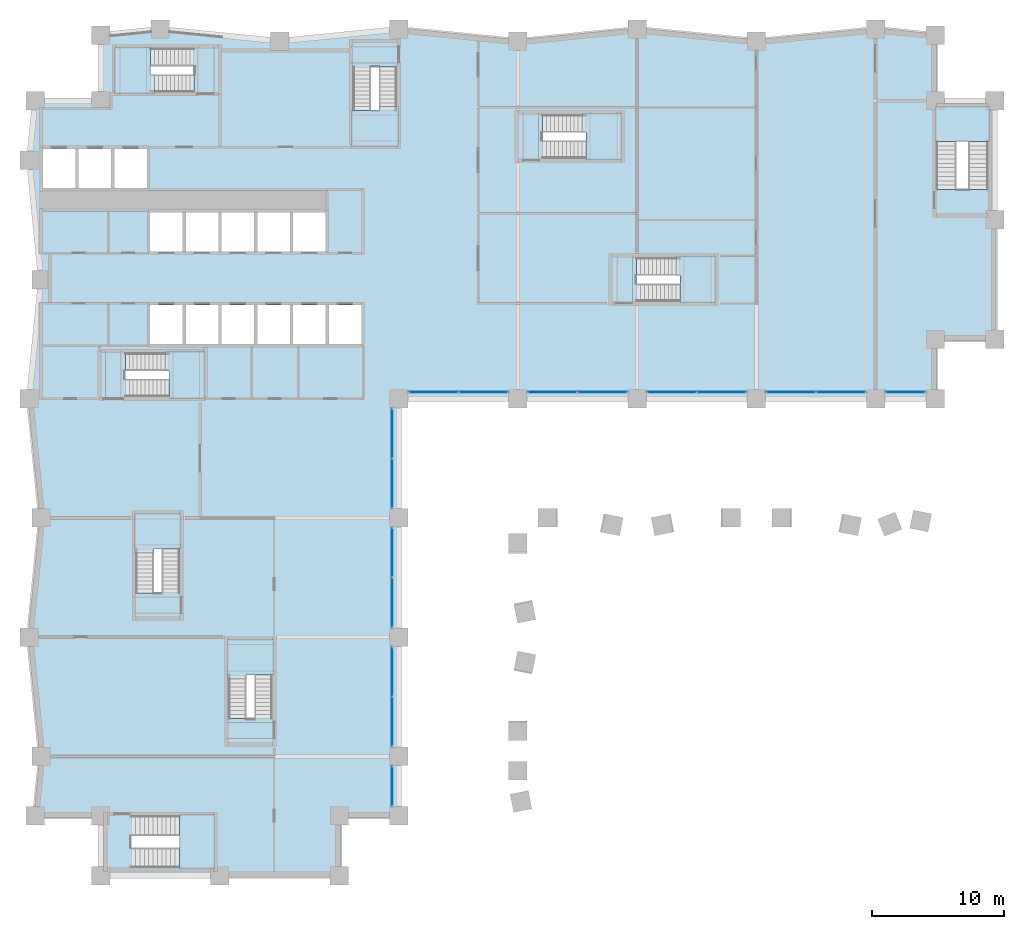
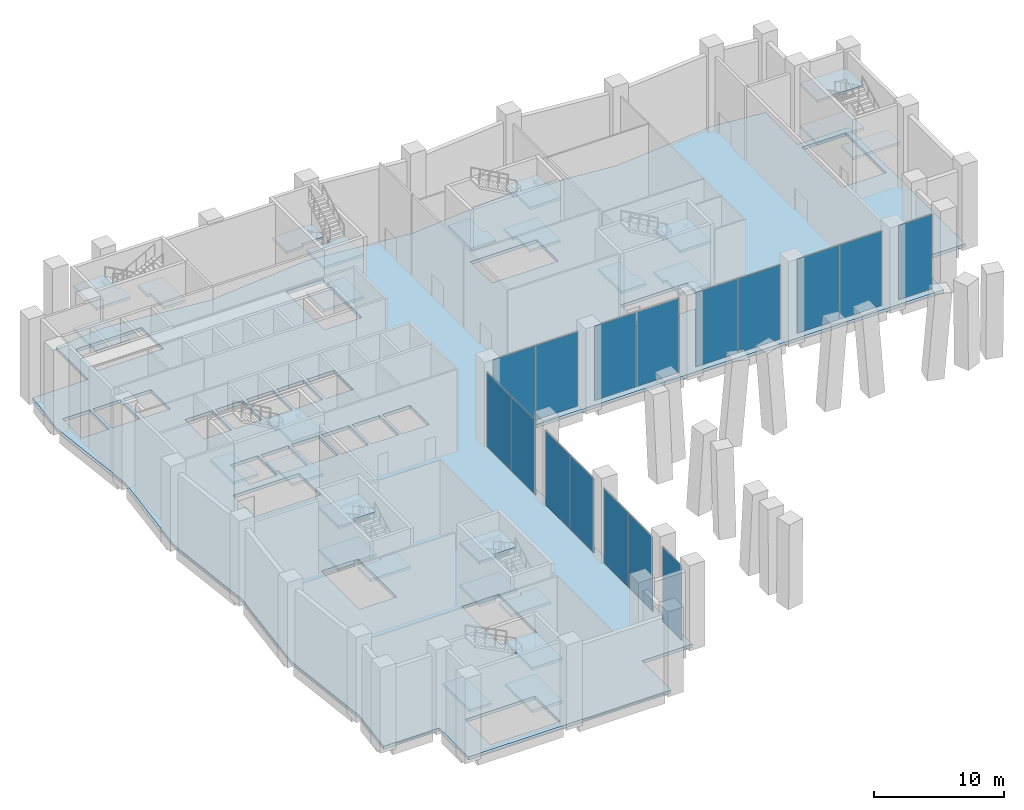
# One storey, part 9 of 19: 28 slabs, 16 plates, 18 elements without a shape of their own.
"""IFC4 building model written with IfcOpenShell, lengths in metres."""

from ifc_helpers import new_model, si_unit, direction, frame, origin, origin_2d, place, context, subcontext, project, spatial, polyline, rectangle, outline, extrude, material, layer, layer_set, type_object, element, aggregate, save


model = new_model("IFC4")

# Units and contexts
model_context = context("Model", 3, precision=1e-05, world=origin(), true_north=direction((0.0, 1.0)))
body_context = subcontext(model_context, "Body", "Model", "MODEL_VIEW")
ifc_project = project(units=[si_unit("LENGTHUNIT", "METRE"), si_unit("AREAUNIT", "SQUARE_METRE"), si_unit("VOLUMEUNIT", "CUBIC_METRE"), si_unit("PLANEANGLEUNIT", "RADIAN"), si_unit("MASSUNIT", "GRAM", prefix="KILO")], contexts=[model_context])

# Site, building, storey
site_placement = place(None, origin())
site = spatial("IfcSite", under=ifc_project, at=site_placement, CompositionType="ELEMENT")
building_placement = place(site_placement, origin())
building = spatial("IfcBuilding", under=site, at=building_placement, Name="Brondeck Convention Tower", CompositionType="ELEMENT")
storey_placement = place(building_placement, frame((0.0, 0.0, 19.5)))
storey = spatial("IfcBuildingStorey", under=building, at=storey_placement, Name="L03", CompositionType="ELEMENT", Elevation=19.5)

# Curtain wall, plate
ifc_material_1 = material(Name="Aluminium, bronze anodised", Category="aluminium")
curtain_wall_type = type_object("IfcCurtainWallType", Name="Podium hall curtain wall", PredefinedType="NOTDEFINED", material=ifc_material_1)
curtain_wall_1_placement = place(storey_placement, origin())
curtain_wall_1 = element("IfcCurtainWall", 1, at=curtain_wall_1_placement, inside=storey, type_object=curtain_wall_type, Name="ENV-CW2-L03-B-E-06", PredefinedType="NOTDEFINED")
ifc_material_2 = material(Name="Bronze tinted laminated glass", Category="glass")
ifc_layer_1 = layer(ifc_material_2, 0.009033203125, Name="Outer pane")
ifc_material_3 = material(Name="Argon-filled cavity")
ifc_layer_2 = layer(ifc_material_3, 0.011962890625, Name="Cavity")
ifc_material_4 = material(Name="Clear low-emissivity glass", Category="glass")
ifc_layer_3 = layer(ifc_material_4, 0.009033203125, Name="Inner pane")
ifc_layer_set_1 = layer_set([ifc_layer_1, ifc_layer_2, ifc_layer_3], Name="CW2 glazing panel")
plate_type = type_object("IfcPlateType", Name="CW2 glazing panel", PredefinedType="CURTAIN_PANEL", material=ifc_layer_set_1)
plate_1_placement = place(storey_placement, frame((26.5, 6.75, 0.06005859375), z_axis=(0.0, 0.0, 1.0), x_axis=(0.0, -1.0, 0.0)))
plate_1 = element("IfcPlate", 2, at=plate_1_placement, type_object=plate_type, Name="CW2 panel 1.1", PredefinedType="CURTAIN_PANEL", context=body_context, shape_type="SweptSolid", body=[
    extrude(rectangle(XDim=2.97998046875, YDim=0.030029296875, at=origin_2d()), origin(), (0.0, 0.0, 1.0), 6.97998046875),
])
aggregate(curtain_wall_1, [plate_1])

# Curtain wall, plates
curtain_wall_2_placement = place(storey_placement, origin())
curtain_wall_2 = element("IfcCurtainWall", 3, at=curtain_wall_2_placement, inside=storey, type_object=curtain_wall_type, Name="ENV-CW2-L03-B-E-05", PredefinedType="NOTDEFINED")
plate_2_placement = place(storey_placement, frame((26.5, 15.385009765625, 0.06005859375), z_axis=(0.0, 0.0, 1.0), x_axis=(0.0, -1.0, 0.0)))
plate_2 = element("IfcPlate", 4, at=plate_2_placement, type_object=plate_type, Name="CW2 panel 1.1", PredefinedType="CURTAIN_PANEL", context=body_context, shape_type="SweptSolid", body=[
    extrude(rectangle(XDim=3.7099609375, YDim=0.030029296875, at=origin_2d()), origin(), (0.0, 0.0, 1.0), 6.97998046875),
])
plate_3_placement = place(storey_placement, frame((26.5, 11.614990234375, 0.06005859375), z_axis=(0.0, 0.0, 1.0), x_axis=(0.0, -1.0, 0.0)))
plate_3 = element("IfcPlate", 5, at=plate_3_placement, type_object=plate_type, Name="CW2 panel 2.1", PredefinedType="CURTAIN_PANEL", context=body_context, shape_type="SweptSolid", body=[
    extrude(rectangle(XDim=3.7099609375, YDim=0.030029296875, at=origin_2d()), origin(), (0.0, 0.0, 1.0), 6.97998046875),
])
aggregate(curtain_wall_2, [plate_2, plate_3])

curtain_wall_3_placement = place(storey_placement, origin())
curtain_wall_3 = element("IfcCurtainWall", 6, at=curtain_wall_3_placement, inside=storey, type_object=curtain_wall_type, Name="ENV-CW2-L03-B-E-03", PredefinedType="NOTDEFINED")
plate_4_placement = place(storey_placement, frame((26.5, 24.385009765625, 0.06005859375), z_axis=(0.0, 0.0, 1.0), x_axis=(0.0, -1.0, 0.0)))
plate_4 = element("IfcPlate", 7, at=plate_4_placement, type_object=plate_type, Name="CW2 panel 1.1", PredefinedType="CURTAIN_PANEL", context=body_context, shape_type="SweptSolid", body=[
    extrude(rectangle(XDim=3.7099609375, YDim=0.030029296875, at=origin_2d()), origin(), (0.0, 0.0, 1.0), 6.97998046875),
])
plate_5_placement = place(storey_placement, frame((26.5, 20.614990234375, 0.06005859375), z_axis=(0.0, 0.0, 1.0), x_axis=(0.0, -1.0, 0.0)))
plate_5 = element("IfcPlate", 8, at=plate_5_placement, type_object=plate_type, Name="CW2 panel 2.1", PredefinedType="CURTAIN_PANEL", context=body_context, shape_type="SweptSolid", body=[
    extrude(rectangle(XDim=3.7099609375, YDim=0.030029296875, at=origin_2d()), origin(), (0.0, 0.0, 1.0), 6.97998046875),
])
aggregate(curtain_wall_3, [plate_4, plate_5])

curtain_wall_4_placement = place(storey_placement, origin())
curtain_wall_4 = element("IfcCurtainWall", 9, at=curtain_wall_4_placement, inside=storey, type_object=curtain_wall_type, Name="ENV-CW2-L03-B-E-01", PredefinedType="NOTDEFINED")
plate_6_placement = place(storey_placement, frame((26.5, 33.385009765625, 0.06005859375), z_axis=(0.0, 0.0, 1.0), x_axis=(0.0, -1.0, 0.0)))
plate_6 = element("IfcPlate", 10, at=plate_6_placement, type_object=plate_type, Name="CW2 panel 1.1", PredefinedType="CURTAIN_PANEL", context=body_context, shape_type="SweptSolid", body=[
    extrude(rectangle(XDim=3.7099609375, YDim=0.030029296875, at=origin_2d()), origin(), (0.0, 0.0, 1.0), 6.97998046875),
])
plate_7_placement = place(storey_placement, frame((26.5, 29.614990234375, 0.06005859375), z_axis=(0.0, 0.0, 1.0), x_axis=(0.0, -1.0, 0.0)))
plate_7 = element("IfcPlate", 11, at=plate_7_placement, type_object=plate_type, Name="CW2 panel 2.1", PredefinedType="CURTAIN_PANEL", context=body_context, shape_type="SweptSolid", body=[
    extrude(rectangle(XDim=3.7099609375, YDim=0.030029296875, at=origin_2d()), origin(), (0.0, 0.0, 1.0), 6.97998046875),
])
aggregate(curtain_wall_4, [plate_6, plate_7])

curtain_wall_5_placement = place(storey_placement, origin())
curtain_wall_5 = element("IfcCurtainWall", 12, at=curtain_wall_5_placement, inside=storey, type_object=curtain_wall_type, Name="ENV-CW2-L03-A-S-01", PredefinedType="NOTDEFINED")
plate_8_placement = place(storey_placement, frame((33.385009765625, 36.5, 0.06005859375), z_axis=(0.0, 0.0, 1.0), x_axis=(-1.0, 0.0, 0.0)))
plate_8 = element("IfcPlate", 13, at=plate_8_placement, type_object=plate_type, Name="CW2 panel 1.1", PredefinedType="CURTAIN_PANEL", context=body_context, shape_type="SweptSolid", body=[
    extrude(rectangle(XDim=3.7099609375, YDim=0.030029296875, at=origin_2d()), origin(), (0.0, 0.0, 1.0), 6.97998046875),
])
plate_9_placement = place(storey_placement, frame((29.614990234375, 36.5, 0.06005859375), z_axis=(0.0, 0.0, 1.0), x_axis=(-1.0, 0.0, 0.0)))
plate_9 = element("IfcPlate", 14, at=plate_9_placement, type_object=plate_type, Name="CW2 panel 2.1", PredefinedType="CURTAIN_PANEL", context=body_context, shape_type="SweptSolid", body=[
    extrude(rectangle(XDim=3.7099609375, YDim=0.030029296875, at=origin_2d()), origin(), (0.0, 0.0, 1.0), 6.97998046875),
])
aggregate(curtain_wall_5, [plate_8, plate_9])

curtain_wall_6_placement = place(storey_placement, origin())
curtain_wall_6 = element("IfcCurtainWall", 15, at=curtain_wall_6_placement, inside=storey, type_object=curtain_wall_type, Name="ENV-CW2-L03-A-S-03", PredefinedType="NOTDEFINED")
plate_10_placement = place(storey_placement, frame((42.385009765625, 36.5, 0.06005859375), z_axis=(0.0, 0.0, 1.0), x_axis=(-1.0, 0.0, 0.0)))
plate_10 = element("IfcPlate", 16, at=plate_10_placement, type_object=plate_type, Name="CW2 panel 1.1", PredefinedType="CURTAIN_PANEL", context=body_context, shape_type="SweptSolid", body=[
    extrude(rectangle(XDim=3.7099609375, YDim=0.030029296875, at=origin_2d()), origin(), (0.0, 0.0, 1.0), 6.97998046875),
])
plate_11_placement = place(storey_placement, frame((38.614990234375, 36.5, 0.06005859375), z_axis=(0.0, 0.0, 1.0), x_axis=(-1.0, 0.0, 0.0)))
plate_11 = element("IfcPlate", 17, at=plate_11_placement, type_object=plate_type, Name="CW2 panel 2.1", PredefinedType="CURTAIN_PANEL", context=body_context, shape_type="SweptSolid", body=[
    extrude(rectangle(XDim=3.7099609375, YDim=0.030029296875, at=origin_2d()), origin(), (0.0, 0.0, 1.0), 6.97998046875),
])
aggregate(curtain_wall_6, [plate_10, plate_11])

curtain_wall_7_placement = place(storey_placement, origin())
curtain_wall_7 = element("IfcCurtainWall", 18, at=curtain_wall_7_placement, inside=storey, type_object=curtain_wall_type, Name="ENV-CW2-L03-A-S-05", PredefinedType="NOTDEFINED")
plate_12_placement = place(storey_placement, frame((51.385009765625, 36.5, 0.06005859375), z_axis=(0.0, 0.0, 1.0), x_axis=(-1.0, 0.0, 0.0)))
plate_12 = element("IfcPlate", 19, at=plate_12_placement, type_object=plate_type, Name="CW2 panel 1.1", PredefinedType="CURTAIN_PANEL", context=body_context, shape_type="SweptSolid", body=[
    extrude(rectangle(XDim=3.7099609375, YDim=0.030029296875, at=origin_2d()), origin(), (0.0, 0.0, 1.0), 6.97998046875),
])
plate_13_placement = place(storey_placement, frame((47.614990234375, 36.5, 0.06005859375), z_axis=(0.0, 0.0, 1.0), x_axis=(-1.0, 0.0, 0.0)))
plate_13 = element("IfcPlate", 20, at=plate_13_placement, type_object=plate_type, Name="CW2 panel 2.1", PredefinedType="CURTAIN_PANEL", context=body_context, shape_type="SweptSolid", body=[
    extrude(rectangle(XDim=3.7099609375, YDim=0.030029296875, at=origin_2d()), origin(), (0.0, 0.0, 1.0), 6.97998046875),
])
aggregate(curtain_wall_7, [plate_12, plate_13])

curtain_wall_8_placement = place(storey_placement, origin())
curtain_wall_8 = element("IfcCurtainWall", 21, at=curtain_wall_8_placement, inside=storey, type_object=curtain_wall_type, Name="ENV-CW2-L03-A-S-07", PredefinedType="NOTDEFINED")
plate_14_placement = place(storey_placement, frame((60.385009765625, 36.5, 0.06005859375), z_axis=(0.0, 0.0, 1.0), x_axis=(-1.0, 0.0, 0.0)))
plate_14 = element("IfcPlate", 22, at=plate_14_placement, type_object=plate_type, Name="CW2 panel 1.1", PredefinedType="CURTAIN_PANEL", context=body_context, shape_type="SweptSolid", body=[
    extrude(rectangle(XDim=3.7099609375, YDim=0.030029296875, at=origin_2d()), origin(), (0.0, 0.0, 1.0), 6.97998046875),
])
plate_15_placement = place(storey_placement, frame((56.614990234375, 36.5, 0.06005859375), z_axis=(0.0, 0.0, 1.0), x_axis=(-1.0, 0.0, 0.0)))
plate_15 = element("IfcPlate", 23, at=plate_15_placement, type_object=plate_type, Name="CW2 panel 2.1", PredefinedType="CURTAIN_PANEL", context=body_context, shape_type="SweptSolid", body=[
    extrude(rectangle(XDim=3.7099609375, YDim=0.030029296875, at=origin_2d()), origin(), (0.0, 0.0, 1.0), 6.97998046875),
])
aggregate(curtain_wall_8, [plate_14, plate_15])

# Curtain wall, plate
curtain_wall_9_placement = place(storey_placement, origin())
curtain_wall_9 = element("IfcCurtainWall", 24, at=curtain_wall_9_placement, inside=storey, type_object=curtain_wall_type, Name="ENV-CW2-L03-A-S-08", PredefinedType="NOTDEFINED")
plate_16_placement = place(storey_placement, frame((65.25, 36.5, 0.06005859375), z_axis=(0.0, 0.0, 1.0), x_axis=(-1.0, 0.0, 0.0)))
plate_16 = element("IfcPlate", 25, at=plate_16_placement, type_object=plate_type, Name="CW2 panel 1.1", PredefinedType="CURTAIN_PANEL", context=body_context, shape_type="SweptSolid", body=[
    extrude(rectangle(XDim=2.97998046875, YDim=0.030029296875, at=origin_2d()), origin(), (0.0, 0.0, 1.0), 6.97998046875),
])
aggregate(curtain_wall_9, [plate_16])

# Slab
ifc_material_5 = material(Name="Concrete C35/45", Category="concrete")
ifc_layer_4 = layer(ifc_material_5, 0.300048828125)
ifc_layer_set_2 = layer_set([ifc_layer_4], Name="Composite floor slab 300")
slab_type_1 = type_object("IfcSlabType", Name="Composite floor slab 300", PredefinedType="FLOOR", material=ifc_layer_set_2)
slab_1_placement = place(storey_placement, frame((0.0, 0.0, -0.300048828125)))
element("IfcSlab", 26, at=slab_1_placement, inside=storey, type_object=slab_type_1, Name="STR-SL-L03", PredefinedType="FLOOR", context=body_context, shape_type="SweptSolid", body=[
    extrude(outline(polyline([(4.5, 4.5), (-0.449951171875, 4.5), (0.0, 9.0), (-0.89990234375, 18.0), (0.0, 27.0), (-0.89990234375, 36.0), (0.0, 45.0), (-0.89990234375, 54.0), (-0.449951171875, 58.5), (4.5, 58.5), (4.5, 63.449951171875), (9.0, 63.89990234375), (18.0, 63.0), (27.0, 63.89990234375), (36.0, 63.0), (45.0, 63.89990234375), (54.0, 63.0), (63.0, 63.89990234375), (67.5, 63.449951171875), (67.5, 58.5), (72.0, 58.5), (72.0, 40.5), (67.5, 40.5), (67.5, 36.0), (27.0, 36.0), (27.0, 4.5), (22.5, 4.5), (22.5, 0.0), (4.5, 0.0), (4.5, 4.5)]), holes=[polyline([(12.998046875, 0.60205078125), (12.998046875, 4.498046875), (6.802001953125, 4.498046875), (6.802001953125, 0.60205078125), (12.998046875, 0.60205078125)]), polyline([(10.447998046875, 27.248046875), (7.152099609375, 27.248046875), (7.152099609375, 21.35205078125), (10.447998046875, 21.35205078125), (10.447998046875, 27.248046875)]), polyline([(12.248046875, 36.152099609375), (12.248046875, 39.447998046875), (6.35205078125, 39.447998046875), (6.35205078125, 36.152099609375), (12.248046875, 36.152099609375)]), polyline([(8.22509765625, 40.125), (10.675048828125, 40.125), (10.675048828125, 43.074951171875), (8.22509765625, 43.074951171875), (8.22509765625, 40.125)]), polyline([(10.925048828125, 40.125), (13.375, 40.125), (13.375, 43.074951171875), (10.925048828125, 43.074951171875), (10.925048828125, 40.125)]), polyline([(10.675048828125, 47.125), (10.675048828125, 50.074951171875), (8.22509765625, 50.074951171875), (8.22509765625, 47.125), (10.675048828125, 47.125)]), polyline([(10.925048828125, 47.125), (13.375, 47.125), (13.375, 50.074951171875), (10.925048828125, 50.074951171875), (10.925048828125, 47.125)]), polyline([(13.625, 47.125), (16.074951171875, 47.125), (16.074951171875, 50.074951171875), (13.625, 50.074951171875), (13.625, 47.125)]), polyline([(2.574951171875, 51.925048828125), (2.574951171875, 54.875), (0.125, 54.875), (0.125, 51.925048828125), (2.574951171875, 51.925048828125)]), polyline([(2.824951171875, 51.925048828125), (5.27490234375, 51.925048828125), (5.27490234375, 54.875), (2.824951171875, 54.875), (2.824951171875, 51.925048828125)]), polyline([(5.52490234375, 51.925048828125), (7.97509765625, 51.925048828125), (7.97509765625, 54.875), (5.52490234375, 54.875), (5.52490234375, 51.925048828125)]), polyline([(5.652099609375, 62.447998046875), (5.652099609375, 59.152099609375), (11.548095703125, 59.152099609375), (11.548095703125, 62.447998046875), (5.652099609375, 62.447998046875)]), polyline([(17.447998046875, 11.85205078125), (17.447998046875, 17.748046875), (14.152099609375, 17.748046875), (14.152099609375, 11.85205078125), (17.447998046875, 11.85205078125)]), polyline([(13.625, 40.125), (16.074951171875, 40.125), (16.074951171875, 43.074951171875), (13.625, 43.074951171875), (13.625, 40.125)]), polyline([(18.77490234375, 40.125), (18.77490234375, 43.074951171875), (16.324951171875, 43.074951171875), (16.324951171875, 40.125), (18.77490234375, 40.125)]), polyline([(19.02490234375, 40.125), (21.47509765625, 40.125), (21.47509765625, 43.074951171875), (19.02490234375, 43.074951171875), (19.02490234375, 40.125)]), polyline([(21.72509765625, 40.125), (24.175048828125, 40.125), (24.175048828125, 43.074951171875), (21.72509765625, 43.074951171875), (21.72509765625, 40.125)]), polyline([(50.847900390625, 43.35205078125), (50.847900390625, 46.64794921875), (44.951904296875, 46.64794921875), (44.951904296875, 43.35205078125), (50.847900390625, 43.35205078125)]), polyline([(16.324951171875, 47.125), (18.77490234375, 47.125), (18.77490234375, 50.074951171875), (16.324951171875, 50.074951171875), (16.324951171875, 47.125)]), polyline([(19.02490234375, 47.125), (21.47509765625, 47.125), (21.47509765625, 50.074951171875), (19.02490234375, 50.074951171875), (19.02490234375, 47.125)]), polyline([(71.498046875, 57.998046875), (67.60205078125, 57.998046875), (67.60205078125, 51.802001953125), (71.498046875, 51.802001953125), (71.498046875, 57.998046875)]), polyline([(37.85205078125, 54.152099609375), (43.748046875, 54.152099609375), (43.748046875, 57.447998046875), (37.85205078125, 57.447998046875), (37.85205078125, 54.152099609375)]), polyline([(23.552001953125, 61.048095703125), (23.552001953125, 55.152099609375), (26.847900390625, 55.152099609375), (26.847900390625, 61.048095703125), (23.552001953125, 61.048095703125)])]), origin(), (0.0, 0.0, 1.0), 0.300048828125),
])

# Stair, slabs
ifc_material_6 = material(Name="Precast concrete C50/60", Category="concrete")
stair_type_1 = type_object("IfcStairType", Name="Core stair 48 risers 166.67 mm riser 300 mm going 1350 wide", PredefinedType="HALF_TURN_STAIR", material=ifc_material_6)
stair_1_placement = place(storey_placement, origin())
stair_1 = element("IfcStair", 27, at=stair_1_placement, inside=storey, type_object=stair_type_1, Name="ST-1 L03 stair", PredefinedType="HALF_TURN_STAIR")
ifc_layer_5 = layer(ifc_material_6, 0.25)
ifc_layer_set_3 = layer_set([ifc_layer_5], Name="Core stair landing 250 Precast concrete C50/60")
slab_type_2 = type_object("IfcSlabType", Name="Core stair landing 250 Precast concrete C50/60", PredefinedType="LANDING", material=ifc_layer_set_3)
slab_2_placement = place(storey_placement, frame((0.0, 0.0, 1.75)))
slab_2 = element("IfcSlab", 28, at=slab_2_placement, type_object=slab_type_2, Name="ST-1 landing 1", PredefinedType="LANDING", context=body_context, shape_type="SweptSolid", body=[
    extrude(outline(polyline([(9.64794921875, 37.5), (9.64990234375, 37.5), (9.64990234375, 38.10009765625), (9.35009765625, 38.10009765625), (9.35009765625, 39.570068359375), (12.3701171875, 39.570068359375), (12.3701171875, 36.030029296875), (9.64794921875, 36.030029296875), (9.64794921875, 37.5)])), origin(), (0.0, 0.0, 1.0), 0.25),
])
slab_3_placement = place(storey_placement, frame((0.0, 0.0, 3.75)))
slab_3 = element("IfcSlab", 29, at=slab_3_placement, type_object=slab_type_2, Name="ST-1 landing 2", PredefinedType="LANDING", context=body_context, shape_type="SweptSolid", body=[
    extrude(outline(polyline([(6.64990234375, 37.5), (6.64990234375, 36.030029296875), (4.429931640625, 36.030029296875), (4.429931640625, 39.570068359375), (6.35205078125, 39.570068359375), (6.35205078125, 38.10009765625), (6.35009765625, 38.10009765625), (6.35009765625, 37.5), (6.64990234375, 37.5)])), origin(), (0.0, 0.0, 1.0), 0.25),
])
slab_4_placement = place(storey_placement, frame((0.0, 0.0, 5.75)))
slab_4 = element("IfcSlab", 30, at=slab_4_placement, type_object=slab_type_2, Name="ST-1 landing 3", PredefinedType="LANDING", context=body_context, shape_type="SweptSolid", body=[
    extrude(outline(polyline([(9.64794921875, 37.5), (9.64990234375, 37.5), (9.64990234375, 38.10009765625), (9.35009765625, 38.10009765625), (9.35009765625, 39.570068359375), (12.3701171875, 39.570068359375), (12.3701171875, 36.030029296875), (9.64794921875, 36.030029296875), (9.64794921875, 37.5)])), origin(), (0.0, 0.0, 1.0), 0.25),
])
aggregate(stair_1, [slab_2, slab_3, slab_4])

stair_2_placement = place(storey_placement, origin())
stair_2 = element("IfcStair", 31, at=stair_2_placement, inside=storey, type_object=stair_type_1, Name="ST-2 L03 stair", PredefinedType="HALF_TURN_STAIR")
slab_5_placement = place(storey_placement, frame((0.0, 0.0, 1.75)))
slab_5 = element("IfcSlab", 32, at=slab_5_placement, type_object=slab_type_2, Name="ST-2 landing 1", PredefinedType="LANDING", context=body_context, shape_type="SweptSolid", body=[
    extrude(outline(polyline([(23.429931640625, 57.751953125), (24.89990234375, 57.751953125), (24.89990234375, 57.75), (25.5, 57.75), (25.5, 58.050048828125), (26.969970703125, 58.050048828125), (26.969970703125, 55.030029296875), (23.429931640625, 55.030029296875), (23.429931640625, 57.751953125)])), origin(), (0.0, 0.0, 1.0), 0.25),
])
slab_6_placement = place(storey_placement, frame((0.0, 0.0, 3.75)))
slab_6 = element("IfcSlab", 33, at=slab_6_placement, type_object=slab_type_2, Name="ST-2 landing 2", PredefinedType="LANDING", context=body_context, shape_type="SweptSolid", body=[
    extrude(outline(polyline([(23.429931640625, 62.969970703125), (26.969970703125, 62.969970703125), (26.969970703125, 61.048095703125), (25.5, 61.048095703125), (25.5, 61.050048828125), (24.89990234375, 61.050048828125), (24.89990234375, 60.75), (23.429931640625, 60.75), (23.429931640625, 62.969970703125)])), origin(), (0.0, 0.0, 1.0), 0.25),
])
slab_7_placement = place(storey_placement, frame((0.0, 0.0, 5.75)))
slab_7 = element("IfcSlab", 34, at=slab_7_placement, type_object=slab_type_2, Name="ST-2 landing 3", PredefinedType="LANDING", context=body_context, shape_type="SweptSolid", body=[
    extrude(outline(polyline([(23.429931640625, 57.751953125), (24.89990234375, 57.751953125), (24.89990234375, 57.75), (25.5, 57.75), (25.5, 58.050048828125), (26.969970703125, 58.050048828125), (26.969970703125, 55.030029296875), (23.429931640625, 55.030029296875), (23.429931640625, 57.751953125)])), origin(), (0.0, 0.0, 1.0), 0.25),
])
aggregate(stair_2, [slab_5, slab_6, slab_7])

stair_3_placement = place(storey_placement, origin())
stair_3 = element("IfcStair", 35, at=stair_3_placement, inside=storey, type_object=stair_type_1, Name="ST-3 L03 stair", PredefinedType="HALF_TURN_STAIR")
slab_8_placement = place(storey_placement, frame((0.0, 0.0, 1.75)))
slab_8 = element("IfcSlab", 36, at=slab_8_placement, type_object=slab_type_2, Name="ST-3 landing 1", PredefinedType="LANDING", context=body_context, shape_type="SweptSolid", body=[
    extrude(outline(polyline([(8.550048828125, 60.5), (8.550048828125, 59.030029296875), (5.530029296875, 59.030029296875), (5.530029296875, 62.570068359375), (8.251953125, 62.570068359375), (8.251953125, 61.10009765625), (8.25, 61.10009765625), (8.25, 60.5), (8.550048828125, 60.5)])), origin(), (0.0, 0.0, 1.0), 0.25),
])
slab_9_placement = place(storey_placement, frame((0.0, 0.0, 3.75)))
slab_9 = element("IfcSlab", 37, at=slab_9_placement, type_object=slab_type_2, Name="ST-3 landing 2", PredefinedType="LANDING", context=body_context, shape_type="SweptSolid", body=[
    extrude(outline(polyline([(11.548095703125, 60.5), (11.550048828125, 60.5), (11.550048828125, 61.10009765625), (11.25, 61.10009765625), (11.25, 62.570068359375), (13.469970703125, 62.570068359375), (13.469970703125, 59.030029296875), (11.548095703125, 59.030029296875), (11.548095703125, 60.5)])), origin(), (0.0, 0.0, 1.0), 0.25),
])
slab_10_placement = place(storey_placement, frame((0.0, 0.0, 5.75)))
slab_10 = element("IfcSlab", 38, at=slab_10_placement, type_object=slab_type_2, Name="ST-3 landing 3", PredefinedType="LANDING", context=body_context, shape_type="SweptSolid", body=[
    extrude(outline(polyline([(8.550048828125, 60.5), (8.550048828125, 59.030029296875), (5.530029296875, 59.030029296875), (5.530029296875, 62.570068359375), (8.251953125, 62.570068359375), (8.251953125, 61.10009765625), (8.25, 61.10009765625), (8.25, 60.5), (8.550048828125, 60.5)])), origin(), (0.0, 0.0, 1.0), 0.25),
])
aggregate(stair_3, [slab_8, slab_9, slab_10])

stair_4_placement = place(storey_placement, origin())
stair_4 = element("IfcStair", 39, at=stair_4_placement, inside=storey, type_object=stair_type_1, Name="ST-AE L03 stair", PredefinedType="HALF_TURN_STAIR")
slab_11_placement = place(storey_placement, frame((0.0, 0.0, 1.75)))
slab_11 = element("IfcSlab", 40, at=slab_11_placement, type_object=slab_type_2, Name="ST-AE landing 1", PredefinedType="LANDING", context=body_context, shape_type="SweptSolid", body=[
    extrude(outline(polyline([(41.14794921875, 55.5), (41.14990234375, 55.5), (41.14990234375, 56.10009765625), (40.85009765625, 56.10009765625), (40.85009765625, 57.570068359375), (43.8701171875, 57.570068359375), (43.8701171875, 54.030029296875), (41.14794921875, 54.030029296875), (41.14794921875, 55.5)])), origin(), (0.0, 0.0, 1.0), 0.25),
])
slab_12_placement = place(storey_placement, frame((0.0, 0.0, 3.75)))
slab_12 = element("IfcSlab", 41, at=slab_12_placement, type_object=slab_type_2, Name="ST-AE landing 2", PredefinedType="LANDING", context=body_context, shape_type="SweptSolid", body=[
    extrude(outline(polyline([(38.14990234375, 55.5), (38.14990234375, 54.030029296875), (35.929931640625, 54.030029296875), (35.929931640625, 57.570068359375), (37.85205078125, 57.570068359375), (37.85205078125, 56.10009765625), (37.85009765625, 56.10009765625), (37.85009765625, 55.5), (38.14990234375, 55.5)])), origin(), (0.0, 0.0, 1.0), 0.25),
])
slab_13_placement = place(storey_placement, frame((0.0, 0.0, 5.75)))
slab_13 = element("IfcSlab", 42, at=slab_13_placement, type_object=slab_type_2, Name="ST-AE landing 3", PredefinedType="LANDING", context=body_context, shape_type="SweptSolid", body=[
    extrude(outline(polyline([(41.14794921875, 55.5), (41.14990234375, 55.5), (41.14990234375, 56.10009765625), (40.85009765625, 56.10009765625), (40.85009765625, 57.570068359375), (43.8701171875, 57.570068359375), (43.8701171875, 54.030029296875), (41.14794921875, 54.030029296875), (41.14794921875, 55.5)])), origin(), (0.0, 0.0, 1.0), 0.25),
])
aggregate(stair_4, [slab_11, slab_12, slab_13])

stair_5_placement = place(storey_placement, origin())
stair_5 = element("IfcStair", 43, at=stair_5_placement, inside=storey, type_object=stair_type_1, Name="ST-BE L03 stair", PredefinedType="HALF_TURN_STAIR")
slab_14_placement = place(storey_placement, frame((0.0, 0.0, 1.75)))
slab_14 = element("IfcSlab", 44, at=slab_14_placement, type_object=slab_type_2, Name="ST-BE landing 1", PredefinedType="LANDING", context=body_context, shape_type="SweptSolid", body=[
    extrude(outline(polyline([(7.030029296875, 24.35009765625), (7.030029296875, 27.3701171875), (10.570068359375, 27.3701171875), (10.570068359375, 24.64794921875), (9.10009765625, 24.64794921875), (9.10009765625, 24.64990234375), (8.5, 24.64990234375), (8.5, 24.35009765625), (7.030029296875, 24.35009765625)])), origin(), (0.0, 0.0, 1.0), 0.25),
])
slab_15_placement = place(storey_placement, frame((0.0, 0.0, 3.75)))
slab_15 = element("IfcSlab", 45, at=slab_15_placement, type_object=slab_type_2, Name="ST-BE landing 2", PredefinedType="LANDING", context=body_context, shape_type="SweptSolid", body=[
    extrude(outline(polyline([(10.570068359375, 19.429931640625), (7.030029296875, 19.429931640625), (7.030029296875, 21.35205078125), (8.5, 21.35205078125), (8.5, 21.35009765625), (9.10009765625, 21.35009765625), (9.10009765625, 21.64990234375), (10.570068359375, 21.64990234375), (10.570068359375, 19.429931640625)])), origin(), (0.0, 0.0, 1.0), 0.25),
])
slab_16_placement = place(storey_placement, frame((0.0, 0.0, 5.75)))
slab_16 = element("IfcSlab", 46, at=slab_16_placement, type_object=slab_type_2, Name="ST-BE landing 3", PredefinedType="LANDING", context=body_context, shape_type="SweptSolid", body=[
    extrude(outline(polyline([(7.030029296875, 24.35009765625), (7.030029296875, 27.3701171875), (10.570068359375, 27.3701171875), (10.570068359375, 24.64794921875), (9.10009765625, 24.64794921875), (9.10009765625, 24.64990234375), (8.5, 24.64990234375), (8.5, 24.35009765625), (7.030029296875, 24.35009765625)])), origin(), (0.0, 0.0, 1.0), 0.25),
])
aggregate(stair_5, [slab_14, slab_15, slab_16])

stair_6_placement = place(storey_placement, origin())
stair_6 = element("IfcStair", 47, at=stair_6_placement, inside=storey, type_object=stair_type_1, Name="ST-AF L03 stair", PredefinedType="HALF_TURN_STAIR")
slab_17_placement = place(storey_placement, frame((0.0, 0.0, 1.75)))
slab_17 = element("IfcSlab", 48, at=slab_17_placement, type_object=slab_type_2, Name="ST-AF landing 1", PredefinedType="LANDING", context=body_context, shape_type="SweptSolid", body=[
    extrude(outline(polyline([(48.248046875, 44.699951171875), (48.25, 44.699951171875), (48.25, 45.300048828125), (47.949951171875, 45.300048828125), (47.949951171875, 46.77001953125), (50.969970703125, 46.77001953125), (50.969970703125, 43.22998046875), (48.248046875, 43.22998046875), (48.248046875, 44.699951171875)])), origin(), (0.0, 0.0, 1.0), 0.25),
])
slab_18_placement = place(storey_placement, frame((0.0, 0.0, 3.75)))
slab_18 = element("IfcSlab", 49, at=slab_18_placement, type_object=slab_type_2, Name="ST-AF landing 2", PredefinedType="LANDING", context=body_context, shape_type="SweptSolid", body=[
    extrude(outline(polyline([(45.25, 44.699951171875), (45.25, 43.22998046875), (43.030029296875, 43.22998046875), (43.030029296875, 46.77001953125), (44.951904296875, 46.77001953125), (44.951904296875, 45.300048828125), (44.949951171875, 45.300048828125), (44.949951171875, 44.699951171875), (45.25, 44.699951171875)])), origin(), (0.0, 0.0, 1.0), 0.25),
])
slab_19_placement = place(storey_placement, frame((0.0, 0.0, 5.75)))
slab_19 = element("IfcSlab", 50, at=slab_19_placement, type_object=slab_type_2, Name="ST-AF landing 3", PredefinedType="LANDING", context=body_context, shape_type="SweptSolid", body=[
    extrude(outline(polyline([(48.248046875, 44.699951171875), (48.25, 44.699951171875), (48.25, 45.300048828125), (47.949951171875, 45.300048828125), (47.949951171875, 46.77001953125), (50.969970703125, 46.77001953125), (50.969970703125, 43.22998046875), (48.248046875, 43.22998046875), (48.248046875, 44.699951171875)])), origin(), (0.0, 0.0, 1.0), 0.25),
])
aggregate(stair_6, [slab_17, slab_18, slab_19])

stair_7_placement = place(storey_placement, origin())
stair_7 = element("IfcStair", 51, at=stair_7_placement, inside=storey, type_object=stair_type_1, Name="ST-BF L03 stair", PredefinedType="HALF_TURN_STAIR")
slab_20_placement = place(storey_placement, frame((0.0, 0.0, 1.75)))
slab_20 = element("IfcSlab", 52, at=slab_20_placement, type_object=slab_type_2, Name="ST-BF landing 1", PredefinedType="LANDING", context=body_context, shape_type="SweptSolid", body=[
    extrude(outline(polyline([(14.030029296875, 14.85009765625), (14.030029296875, 17.8701171875), (17.570068359375, 17.8701171875), (17.570068359375, 15.14794921875), (16.10009765625, 15.14794921875), (16.10009765625, 15.14990234375), (15.5, 15.14990234375), (15.5, 14.85009765625), (14.030029296875, 14.85009765625)])), origin(), (0.0, 0.0, 1.0), 0.25),
])
slab_21_placement = place(storey_placement, frame((0.0, 0.0, 3.75)))
slab_21 = element("IfcSlab", 53, at=slab_21_placement, type_object=slab_type_2, Name="ST-BF landing 2", PredefinedType="LANDING", context=body_context, shape_type="SweptSolid", body=[
    extrude(outline(polyline([(17.570068359375, 9.929931640625), (14.030029296875, 9.929931640625), (14.030029296875, 11.85205078125), (15.5, 11.85205078125), (15.5, 11.85009765625), (16.10009765625, 11.85009765625), (16.10009765625, 12.14990234375), (17.570068359375, 12.14990234375), (17.570068359375, 9.929931640625)])), origin(), (0.0, 0.0, 1.0), 0.25),
])
slab_22_placement = place(storey_placement, frame((0.0, 0.0, 5.75)))
slab_22 = element("IfcSlab", 54, at=slab_22_placement, type_object=slab_type_2, Name="ST-BF landing 3", PredefinedType="LANDING", context=body_context, shape_type="SweptSolid", body=[
    extrude(outline(polyline([(14.030029296875, 14.85009765625), (14.030029296875, 17.8701171875), (17.570068359375, 17.8701171875), (17.570068359375, 15.14794921875), (16.10009765625, 15.14794921875), (16.10009765625, 15.14990234375), (15.5, 15.14990234375), (15.5, 14.85009765625), (14.030029296875, 14.85009765625)])), origin(), (0.0, 0.0, 1.0), 0.25),
])
aggregate(stair_7, [slab_20, slab_21, slab_22])

stair_type_2 = type_object("IfcStairType", Name="Core stair 48 risers 166.67 mm riser 330 mm going 1500 wide", PredefinedType="HALF_TURN_STAIR", material=ifc_material_6)
stair_8_placement = place(storey_placement, origin())
stair_8 = element("IfcStair", 55, at=stair_8_placement, inside=storey, type_object=stair_type_2, Name="PS-1 L03 stair", PredefinedType="HALF_TURN_STAIR")
slab_23_placement = place(storey_placement, frame((0.0, 0.0, 1.75)))
slab_23 = element("IfcSlab", 56, at=slab_23_placement, type_object=slab_type_2, Name="PS-1 landing 1", PredefinedType="LANDING", context=body_context, shape_type="SweptSolid", body=[
    extrude(outline(polyline([(69.10009765625, 55.427978515625), (67.47998046875, 55.427978515625), (67.47998046875, 58.1201171875), (71.6201171875, 58.1201171875), (71.6201171875, 55.427978515625), (70.0, 55.427978515625), (70.0, 55.429931640625), (69.10009765625, 55.429931640625), (69.10009765625, 55.427978515625)])), origin(), (0.0, 0.0, 1.0), 0.25),
])
slab_24_placement = place(storey_placement, frame((0.0, 0.0, 3.75)))
slab_24 = element("IfcSlab", 57, at=slab_24_placement, type_object=slab_type_2, Name="PS-1 landing 2", PredefinedType="LANDING", context=body_context, shape_type="SweptSolid", body=[
    extrude(outline(polyline([(71.6201171875, 49.8798828125), (67.47998046875, 49.8798828125), (67.47998046875, 51.802001953125), (69.10009765625, 51.802001953125), (69.10009765625, 51.800048828125), (70.0, 51.800048828125), (70.0, 51.802001953125), (71.6201171875, 51.802001953125), (71.6201171875, 49.8798828125)])), origin(), (0.0, 0.0, 1.0), 0.25),
])
slab_25_placement = place(storey_placement, frame((0.0, 0.0, 5.75)))
slab_25 = element("IfcSlab", 58, at=slab_25_placement, type_object=slab_type_2, Name="PS-1 landing 3", PredefinedType="LANDING", context=body_context, shape_type="SweptSolid", body=[
    extrude(outline(polyline([(69.10009765625, 55.427978515625), (67.47998046875, 55.427978515625), (67.47998046875, 58.1201171875), (71.6201171875, 58.1201171875), (71.6201171875, 55.427978515625), (70.0, 55.427978515625), (70.0, 55.429931640625), (69.10009765625, 55.429931640625), (69.10009765625, 55.427978515625)])), origin(), (0.0, 0.0, 1.0), 0.25),
])
aggregate(stair_8, [slab_23, slab_24, slab_25])

stair_9_placement = place(storey_placement, origin())
stair_9 = element("IfcStair", 59, at=stair_9_placement, inside=storey, type_object=stair_type_2, Name="PS-2 L03 stair", PredefinedType="HALF_TURN_STAIR")
slab_26_placement = place(storey_placement, frame((0.0, 0.0, 1.75)))
slab_26 = element("IfcSlab", 60, at=slab_26_placement, type_object=slab_type_2, Name="PS-2 landing 1", PredefinedType="LANDING", context=body_context, shape_type="SweptSolid", body=[
    extrude(outline(polyline([(10.427978515625, 0.47998046875), (10.427978515625, 2.10009765625), (10.429931640625, 2.10009765625), (10.429931640625, 3.0), (10.427978515625, 3.0), (10.427978515625, 4.6201171875), (13.1201171875, 4.6201171875), (13.1201171875, 0.47998046875), (10.427978515625, 0.47998046875)])), origin(), (0.0, 0.0, 1.0), 0.25),
])
slab_27_placement = place(storey_placement, frame((0.0, 0.0, 3.75)))
slab_27 = element("IfcSlab", 61, at=slab_27_placement, type_object=slab_type_2, Name="PS-2 landing 2", PredefinedType="LANDING", context=body_context, shape_type="SweptSolid", body=[
    extrude(outline(polyline([(4.8798828125, 0.47998046875), (4.8798828125, 4.6201171875), (6.802001953125, 4.6201171875), (6.802001953125, 3.0), (6.800048828125, 3.0), (6.800048828125, 2.10009765625), (6.802001953125, 2.10009765625), (6.802001953125, 0.47998046875), (4.8798828125, 0.47998046875)])), origin(), (0.0, 0.0, 1.0), 0.25),
])
slab_28_placement = place(storey_placement, frame((0.0, 0.0, 5.75)))
slab_28 = element("IfcSlab", 62, at=slab_28_placement, type_object=slab_type_2, Name="PS-2 landing 3", PredefinedType="LANDING", context=body_context, shape_type="SweptSolid", body=[
    extrude(outline(polyline([(10.427978515625, 0.47998046875), (10.427978515625, 2.10009765625), (10.429931640625, 2.10009765625), (10.429931640625, 3.0), (10.427978515625, 3.0), (10.427978515625, 4.6201171875), (13.1201171875, 4.6201171875), (13.1201171875, 0.47998046875), (10.427978515625, 0.47998046875)])), origin(), (0.0, 0.0, 1.0), 0.25),
])
aggregate(stair_9, [slab_26, slab_27, slab_28])

save(model, "model.ifc")
